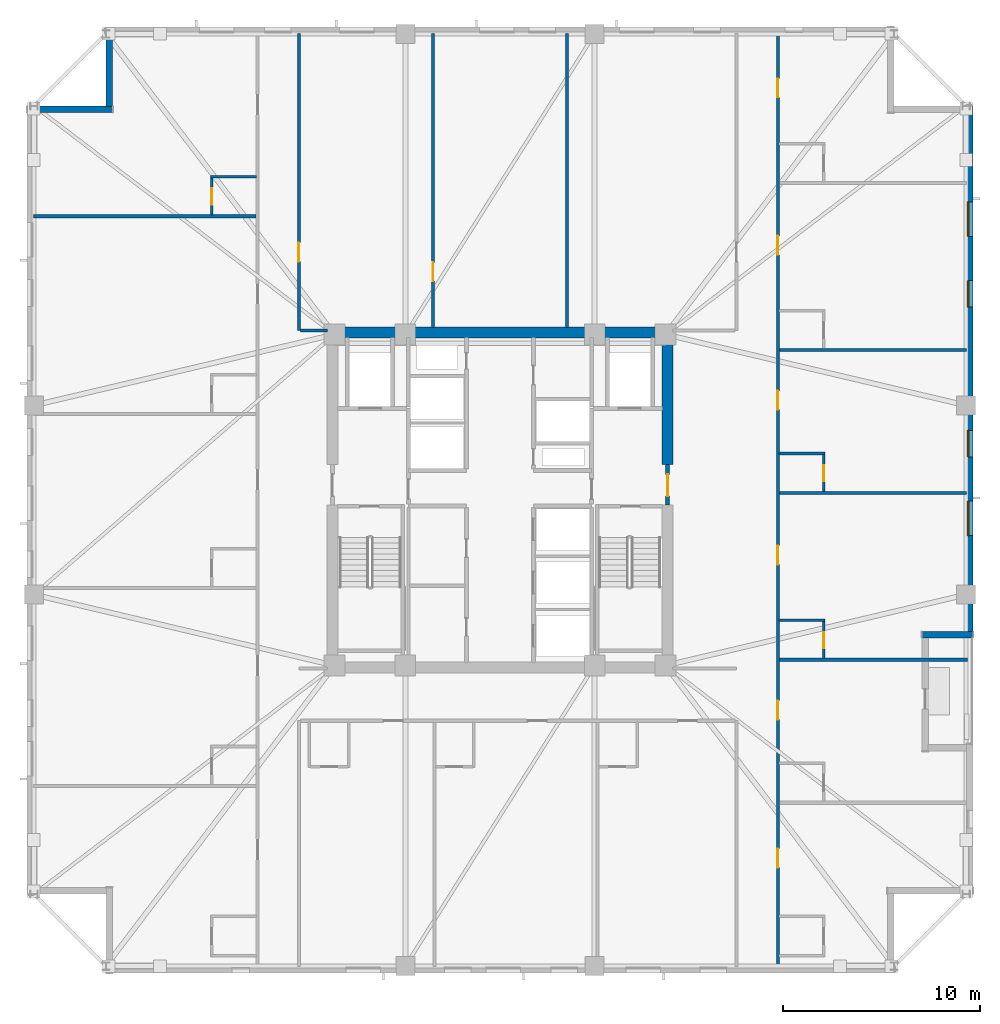
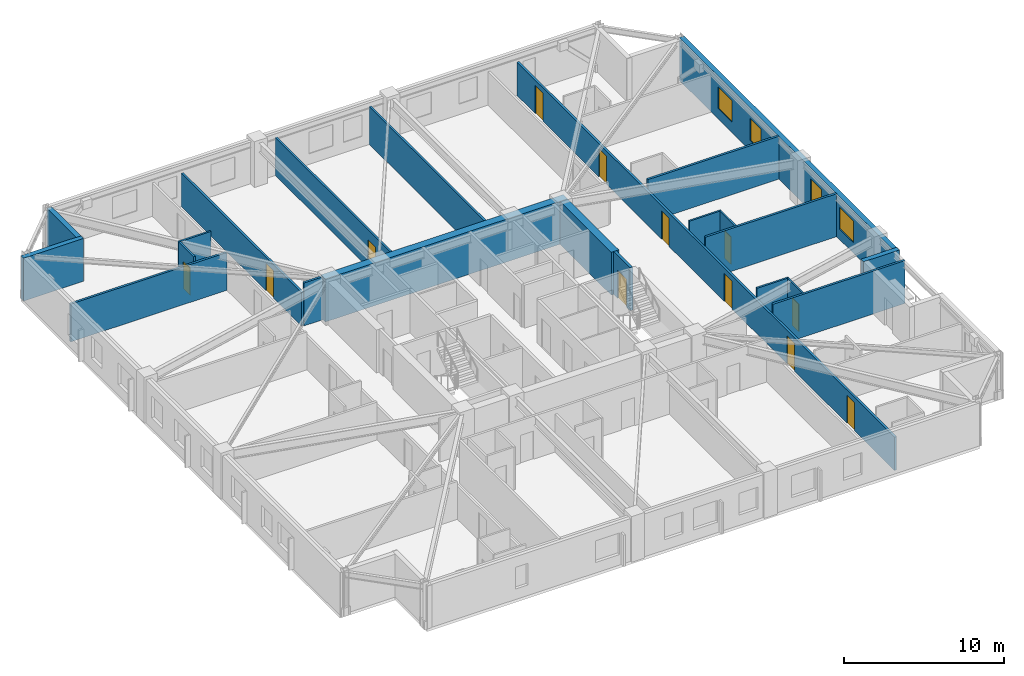
# One storey, part 5 of 11: 22 walls, 12 doors, 4 windows, 16 openings.
"""IFC4 building model written with IfcOpenShell, lengths in metres."""

from ifc_helpers import new_model, si_unit, direction, frame, frame_2d, origin, place, context, subcontext, project, spatial, rectangle, extrude, material, layer, layer_set, type_object, element, fill, save


model = new_model("IFC4")

# Units and contexts
model_context = context("Model", 3, precision=1e-05, world=origin(), true_north=direction((0.0, 1.0)))
body_context = subcontext(model_context, "Body", "Model", "MODEL_VIEW")
ifc_project = project(units=[si_unit("LENGTHUNIT", "METRE"), si_unit("AREAUNIT", "SQUARE_METRE"), si_unit("VOLUMEUNIT", "CUBIC_METRE"), si_unit("PLANEANGLEUNIT", "RADIAN"), si_unit("MASSUNIT", "GRAM", prefix="KILO")], contexts=[model_context])

# Site, building, storey
site_placement = place(None, origin())
site = spatial("IfcSite", under=ifc_project, at=site_placement, CompositionType="ELEMENT")
building_placement = place(site_placement, origin())
building = spatial("IfcBuilding", under=site, at=building_placement, Name="Cairnveth Concourse Tower", CompositionType="ELEMENT")
storey_placement = place(building_placement, frame((0.0, 0.0, 172.5)))
storey = spatial("IfcBuildingStorey", under=building, at=storey_placement, Name="L47", CompositionType="ELEMENT", Elevation=172.5)

# Wall, opening, door
ifc_material_1 = material(Name="Gypsum Plasterboard Partition", Category="gypsum")
ifc_layer_1 = layer(ifc_material_1, 0.159912109375)
ifc_layer_set_1 = layer_set([ifc_layer_1], Name="Gypsum Plasterboard Partition")
wall_type_1 = type_object("IfcWallType", Name="ACOUSTIC PARTY WALL 180", PredefinedType="PARTITIONING", material=ifc_layer_set_1)
wall_1_placement = place(storey_placement, frame((41.800048828125, 47.60009765625, 0.0), z_axis=(0.0, 0.0, 1.0), x_axis=(0.0, 1.0, 0.0)))
wall_1 = element("IfcWall", 1, at=wall_1_placement, inside=storey, type_object=wall_type_1, Name="Interior Wall IW-L47-038", PredefinedType="PARTITIONING", context=body_context, shape_type="SweptSolid", body=[
    extrude(rectangle(XDim=15.074951171875, YDim=0.159912109375, at=frame_2d((7.53759765625, 0.0))), origin(), (0.0, 0.0, 1.0), 2.554931640625),
])
opening_1_placement = place(wall_1_placement, frame((3.5, 0.0, 0.0)))
opening_1 = element("IfcOpeningElement", 2, at=opening_1_placement, cuts=wall_1, Name="Opening ID11", PredefinedType="OPENING", context=body_context, shape_type="SweptSolid", body=[
    extrude(rectangle(XDim=0.9599609375, YDim=2.1201171875, at=frame_2d((0.47998046875, 1.06005859375))), frame((0.0, 0.08984375, 0.0), z_axis=(0.0, -1.0, 0.0), x_axis=(1.0, 0.0, 0.0)), (0.0, 0.0, 1.0), 0.179931640625),
])
ifc_material_2 = material(Name="Solid Core Hardwood Timber Leaf", Category="wood")
door_type_1 = type_object("IfcDoorType", Name="INTERIOR SINGLE DOOR 960X2150", OperationType="NOTDEFINED", PredefinedType="DOOR", material=ifc_material_2)
door_1_placement = place(opening_1_placement, origin())
door_1 = element("IfcDoor", 3, at=door_1_placement, inside=storey, type_object=door_type_1, Name="Interior Door DR-L47-015", OperationType="SINGLE_SWING_LEFT", OverallHeight=2.1201171875, OverallWidth=0.9599609375, PredefinedType="DOOR", context=body_context, shape_type="SweptSolid", body=[
    extrude(rectangle(XDim=0.9599609375, YDim=2.1201171875, at=frame_2d((0.47998046875, 1.06005859375))), frame((0.0, 0.02490234375, 0.0), z_axis=(0.0, -1.0, 0.0), x_axis=(1.0, 0.0, 0.0)), (0.0, 0.0, 1.0), 0.050048828125),
])
fill(opening_1, door_1)

# Wall
wall_2_placement = place(storey_placement, frame((41.864990234375, 47.60009765625, 0.0), z_axis=(0.0, 0.0, 1.0), x_axis=(1.0, 0.0, 0.0)))
element("IfcWall", 4, at=wall_2_placement, inside=storey, type_object=wall_type_1, Name="Interior Wall IW-L47-040", PredefinedType="PARTITIONING", context=body_context, shape_type="SweptSolid", body=[
    extrude(rectangle(XDim=1.3701171875, YDim=0.159912109375, at=frame_2d((0.68505859375, 0.0))), origin(), (0.0, 0.0, 1.0), 3.280029296875),
])

# Wall, openings, doors
wall_3_placement = place(storey_placement, frame((66.10009765625, 15.324951171875, 0.0), z_axis=(0.0, 0.0, 1.0), x_axis=(0.0, 1.0, 0.0)))
wall_3 = element("IfcWall", 5, at=wall_3_placement, inside=storey, type_object=wall_type_1, Name="Interior Wall IW-L47-041", PredefinedType="PARTITIONING", context=body_context, shape_type="SweptSolid", body=[
    extrude(rectangle(XDim=47.35009765625, YDim=0.159912109375, at=frame_2d((23.675048828125, 0.0))), origin(), (0.0, 0.0, 1.0), 2.554931640625),
])
opening_2_placement = place(wall_3_placement, frame((5.024658203125, 0.0, 0.0)))
opening_2 = element("IfcOpeningElement", 6, at=opening_2_placement, cuts=wall_3, Name="Opening ID09", PredefinedType="OPENING", context=body_context, shape_type="SweptSolid", body=[
    extrude(rectangle(XDim=0.9599609375, YDim=2.14990234375, at=frame_2d((0.47998046875, 1.074951171875))), frame((0.0, 0.08984375, 0.0), z_axis=(0.0, -1.0, 0.0), x_axis=(1.0, 0.0, 0.0)), (0.0, 0.0, 1.0), 0.179931640625),
])
opening_3_placement = place(wall_3_placement, frame((12.535400390625, 0.0, 0.0)))
opening_3 = element("IfcOpeningElement", 7, at=opening_3_placement, cuts=wall_3, Name="Opening ID09", PredefinedType="OPENING", context=body_context, shape_type="SweptSolid", body=[
    extrude(rectangle(XDim=0.9599609375, YDim=2.14990234375, at=frame_2d((0.47998046875, 1.074951171875))), frame((0.0, 0.08984375, 0.0), z_axis=(0.0, -1.0, 0.0), x_axis=(1.0, 0.0, 0.0)), (0.0, 0.0, 1.0), 0.179931640625),
])
opening_4_placement = place(wall_3_placement, frame((20.395263671875, 0.0, 0.0)))
opening_4 = element("IfcOpeningElement", 8, at=opening_4_placement, cuts=wall_3, Name="Opening ID09", PredefinedType="OPENING", context=body_context, shape_type="SweptSolid", body=[
    extrude(rectangle(XDim=0.9599609375, YDim=2.14990234375, at=frame_2d((0.47998046875, 1.074951171875))), frame((0.0, 0.08984375, 0.0), z_axis=(0.0, -1.0, 0.0), x_axis=(1.0, 0.0, 0.0)), (0.0, 0.0, 1.0), 0.179931640625),
])
opening_5_placement = place(wall_3_placement, frame((28.255126953125, 0.0, 0.0)))
opening_5 = element("IfcOpeningElement", 9, at=opening_5_placement, cuts=wall_3, Name="Opening ID09", PredefinedType="OPENING", context=body_context, shape_type="SweptSolid", body=[
    extrude(rectangle(XDim=0.9599609375, YDim=2.14990234375, at=frame_2d((0.47998046875, 1.074951171875))), frame((0.0, 0.08984375, 0.0), z_axis=(0.0, -1.0, 0.0), x_axis=(1.0, 0.0, 0.0)), (0.0, 0.0, 1.0), 0.179931640625),
])
opening_6_placement = place(wall_3_placement, frame((36.115234375, 0.0, 0.0)))
opening_6 = element("IfcOpeningElement", 10, at=opening_6_placement, cuts=wall_3, Name="Opening ID09", PredefinedType="OPENING", context=body_context, shape_type="SweptSolid", body=[
    extrude(rectangle(XDim=0.9599609375, YDim=2.14990234375, at=frame_2d((0.47998046875, 1.074951171875))), frame((0.0, 0.08984375, 0.0), z_axis=(0.0, -1.0, 0.0), x_axis=(1.0, 0.0, 0.0)), (0.0, 0.0, 1.0), 0.179931640625),
])
opening_7_placement = place(wall_3_placement, frame((44.099609375, 0.0, 0.0)))
opening_7 = element("IfcOpeningElement", 11, at=opening_7_placement, cuts=wall_3, Name="Opening ID09", PredefinedType="OPENING", context=body_context, shape_type="SweptSolid", body=[
    extrude(rectangle(XDim=0.9599609375, YDim=2.14990234375, at=frame_2d((0.47998046875, 1.074951171875))), frame((0.0, 0.08984375, 0.0), z_axis=(0.0, -1.0, 0.0), x_axis=(1.0, 0.0, 0.0)), (0.0, 0.0, 1.0), 0.179931640625),
])
door_type_2 = type_object("IfcDoorType", Name="HOTEL ENTRANCE DOOR 960X2150", OperationType="NOTDEFINED", PredefinedType="DOOR", material=ifc_material_2)
door_2_placement = place(opening_2_placement, origin())
door_2 = element("IfcDoor", 12, at=door_2_placement, inside=storey, type_object=door_type_2, Name="Hotel Room Door L47-E1", OperationType="SINGLE_SWING_LEFT", OverallHeight=2.14990234375, OverallWidth=0.9599609375, PredefinedType="DOOR", context=body_context, shape_type="SweptSolid", body=[
    extrude(rectangle(XDim=0.9599609375, YDim=2.14990234375, at=frame_2d((0.47998046875, 1.074951171875))), frame((0.0, 0.02490234375, 0.0), z_axis=(0.0, -1.0, 0.0), x_axis=(1.0, 0.0, 0.0)), (0.0, 0.0, 1.0), 0.050048828125),
])
fill(opening_2, door_2)
door_3_placement = place(opening_3_placement, origin())
door_3 = element("IfcDoor", 13, at=door_3_placement, inside=storey, type_object=door_type_2, Name="Hotel Room Door L47-E2", OperationType="SINGLE_SWING_LEFT", OverallHeight=2.14990234375, OverallWidth=0.9599609375, PredefinedType="DOOR", context=body_context, shape_type="SweptSolid", body=[
    extrude(rectangle(XDim=0.9599609375, YDim=2.14990234375, at=frame_2d((0.47998046875, 1.074951171875))), frame((0.0, 0.02490234375, 0.0), z_axis=(0.0, -1.0, 0.0), x_axis=(1.0, 0.0, 0.0)), (0.0, 0.0, 1.0), 0.050048828125),
])
fill(opening_3, door_3)
door_4_placement = place(opening_4_placement, origin())
door_4 = element("IfcDoor", 14, at=door_4_placement, inside=storey, type_object=door_type_2, Name="Hotel Room Door L47-E3", OperationType="SINGLE_SWING_LEFT", OverallHeight=2.14990234375, OverallWidth=0.9599609375, PredefinedType="DOOR", context=body_context, shape_type="SweptSolid", body=[
    extrude(rectangle(XDim=0.9599609375, YDim=2.14990234375, at=frame_2d((0.47998046875, 1.074951171875))), frame((0.0, 0.02490234375, 0.0), z_axis=(0.0, -1.0, 0.0), x_axis=(1.0, 0.0, 0.0)), (0.0, 0.0, 1.0), 0.050048828125),
])
fill(opening_4, door_4)
door_5_placement = place(opening_5_placement, origin())
door_5 = element("IfcDoor", 15, at=door_5_placement, inside=storey, type_object=door_type_2, Name="Hotel Room Door L47-E4", OperationType="SINGLE_SWING_LEFT", OverallHeight=2.14990234375, OverallWidth=0.9599609375, PredefinedType="DOOR", context=body_context, shape_type="SweptSolid", body=[
    extrude(rectangle(XDim=0.9599609375, YDim=2.14990234375, at=frame_2d((0.47998046875, 1.074951171875))), frame((0.0, 0.02490234375, 0.0), z_axis=(0.0, -1.0, 0.0), x_axis=(1.0, 0.0, 0.0)), (0.0, 0.0, 1.0), 0.050048828125),
])
fill(opening_5, door_5)
door_6_placement = place(opening_6_placement, origin())
door_6 = element("IfcDoor", 16, at=door_6_placement, inside=storey, type_object=door_type_2, Name="Hotel Room Door L47-E5", OperationType="SINGLE_SWING_LEFT", OverallHeight=2.14990234375, OverallWidth=0.9599609375, PredefinedType="DOOR", context=body_context, shape_type="SweptSolid", body=[
    extrude(rectangle(XDim=0.9599609375, YDim=2.14990234375, at=frame_2d((0.47998046875, 1.074951171875))), frame((0.0, 0.02490234375, 0.0), z_axis=(0.0, -1.0, 0.0), x_axis=(1.0, 0.0, 0.0)), (0.0, 0.0, 1.0), 0.050048828125),
])
fill(opening_6, door_6)
door_7_placement = place(opening_7_placement, origin())
door_7 = element("IfcDoor", 17, at=door_7_placement, inside=storey, type_object=door_type_2, Name="Hotel Room Door L47-E6", OperationType="SINGLE_SWING_LEFT", OverallHeight=2.14990234375, OverallWidth=0.9599609375, PredefinedType="DOOR", context=body_context, shape_type="SweptSolid", body=[
    extrude(rectangle(XDim=0.9599609375, YDim=2.14990234375, at=frame_2d((0.47998046875, 1.074951171875))), frame((0.0, 0.02490234375, 0.0), z_axis=(0.0, -1.0, 0.0), x_axis=(1.0, 0.0, 0.0)), (0.0, 0.0, 1.0), 0.050048828125),
])
fill(opening_7, door_7)

# Walls
wall_4_placement = place(storey_placement, frame((28.324951171875, 53.396484375, 0.0), z_axis=(0.0, 0.0, 1.0), x_axis=(1.0, 0.0, 0.0)))
element("IfcWall", 18, at=wall_4_placement, inside=storey, type_object=wall_type_1, Name="Interior Wall IW-L47-070", PredefinedType="PARTITIONING", context=body_context, shape_type="SweptSolid", body=[
    extrude(rectangle(XDim=11.295166015625, YDim=0.159912109375, at=frame_2d((5.6474609375, 0.0))), origin(), (0.0, 0.0, 1.0), 2.89599609375),
])
wall_5_placement = place(storey_placement, frame((66.179931640625, 30.891357421875, 0.0), z_axis=(0.0, 0.0, 1.0), x_axis=(1.0, 0.0, 0.0)))
element("IfcWall", 19, at=wall_5_placement, inside=storey, type_object=wall_type_1, Name="Interior Wall IW-L47-079", PredefinedType="PARTITIONING", context=body_context, shape_type="SweptSolid", body=[
    extrude(rectangle(XDim=9.550048828125, YDim=0.159912109375, at=frame_2d((4.77490234375, 0.0))), origin(), (0.0, 0.0, 1.0), 3.280029296875),
])
for number, where, z_axis, x_axis, name in (
    (20, (66.179931640625, 39.359130859375, 0.0), (0.0, 0.0, 1.0), (1.0, 0.0, 0.0), "Interior Wall IW-L47-082"),
    (21, (66.179931640625, 46.611328125, 0.0), (0.0, 0.0, 1.0), (1.0, 0.0, 0.0), "Interior Wall IW-L47-085"),
):
    element("IfcWall", number, at=place(storey_placement, frame(where, z_axis=z_axis, x_axis=x_axis)), inside=storey, type_object=wall_type_1, Name=name, PredefinedType="PARTITIONING", context=body_context, shape_type="SweptSolid", body=[
        extrude(rectangle(XDim=9.4951171875, YDim=0.159912109375, at=frame_2d((4.74755859375, 0.0))), origin(), (0.0, 0.0, 1.0), 3.280029296875),
    ])
ifc_material_3 = material(Name="Concrete N80 (80 MPa)", Category="concrete")
ifc_layer_2 = layer(ifc_material_3, 0.550048828125)
ifc_layer_set_2 = layer_set([ifc_layer_2], Name="Concrete N80 (80 MPa)")
wall_type_2 = type_object("IfcWallType", Name="CORE SHEAR WALL 550", PredefinedType="SHEAR", material=ifc_layer_set_2)
wall_6_placement = place(storey_placement, frame((43.22509765625, 47.5, 0.0), z_axis=(0.0, 0.0, 1.0), x_axis=(1.0, 0.0, 0.0)))
element("IfcWall", 22, at=wall_6_placement, inside=storey, type_object=wall_type_2, Name="Core North Shear Wall L47", PredefinedType="SHEAR", context=body_context, shape_type="SweptSolid", body=[
    extrude(rectangle(XDim=17.5498046875, YDim=0.550048828125, at=frame_2d((8.77490234375, 0.0))), origin(), (0.0, 0.0, 1.0), 3.280029296875),
])
wall_7_placement = place(storey_placement, frame((60.5, 40.800048828125, 0.0), z_axis=(0.0, 0.0, 1.0), x_axis=(0.0, 1.0, 0.0)))
element("IfcWall", 23, at=wall_7_placement, inside=storey, type_object=wall_type_2, Name="Core East Shear Wall N L47", PredefinedType="SHEAR", context=body_context, shape_type="SweptSolid", body=[
    extrude(rectangle(XDim=6.43505859375, YDim=0.550048828125, at=frame_2d((3.217529296875, 0.0))), origin(), (0.0, 0.0, 1.0), 3.280029296875),
])

# Wall, opening, door
ifc_material_4 = material(Name="Concrete N50 (50 MPa)", Category="concrete")
ifc_layer_3 = layer(ifc_material_4, 0.199951171875)
ifc_layer_set_3 = layer_set([ifc_layer_3], Name="Concrete N50 (50 MPa)")
wall_type_3 = type_object("IfcWallType", Name="FIRE SHAFT WALL 200", PredefinedType="SOLIDWALL", material=ifc_layer_set_3)
wall_8_placement = place(storey_placement, frame((60.5, 38.75, 0.0), z_axis=(0.0, 0.0, 1.0), x_axis=(0.0, 1.0, 0.0)))
wall_8 = element("IfcWall", 24, at=wall_8_placement, inside=storey, type_object=wall_type_3, Name="Interior Wall IW-L47-020", PredefinedType="SOLIDWALL", context=body_context, shape_type="SweptSolid", body=[
    extrude(rectangle(XDim=2.050048828125, YDim=0.199951171875, at=frame_2d((1.02490234375, 0.0))), origin(), (0.0, 0.0, 1.0), 3.280029296875),
])
opening_8_placement = place(wall_8_placement, frame((0.449951171875, 0.0, 0.0)))
opening_8 = element("IfcOpeningElement", 25, at=opening_8_placement, cuts=wall_8, Name="Opening ID06", PredefinedType="OPENING", context=body_context, shape_type="SweptSolid", body=[
    extrude(rectangle(XDim=1.10009765625, YDim=2.14990234375, at=frame_2d((0.550048828125, 1.074951171875))), frame((0.0, 0.10986328125, 0.0), z_axis=(0.0, -1.0, 0.0), x_axis=(1.0, 0.0, 0.0)), (0.0, 0.0, 1.0), 0.219970703125),
])
ifc_material_5 = material(Name="Steel Grade 350", Category="steel")
door_type_3 = type_object("IfcDoorType", Name="FIRE CORRIDOR DOOR 1100X2150", OperationType="NOTDEFINED", PredefinedType="DOOR", material=ifc_material_5)
door_8_placement = place(opening_8_placement, origin())
door_8 = element("IfcDoor", 26, at=door_8_placement, inside=storey, type_object=door_type_3, Name="East Wing to FF Lobby Door L47", OperationType="SINGLE_SWING_RIGHT", OverallHeight=2.14990234375, OverallWidth=1.10009765625, PredefinedType="DOOR", context=body_context, shape_type="SweptSolid", body=[
    extrude(rectangle(XDim=1.10009765625, YDim=2.14990234375, at=frame_2d((0.550048828125, 1.074951171875))), frame((0.0, 0.02490234375, 0.0), z_axis=(0.0, -1.0, 0.0), x_axis=(1.0, 0.0, 0.0)), (0.0, 0.0, 1.0), 0.050048828125),
])
fill(opening_8, door_8)

ifc_layer_4 = layer(ifc_material_1, 0.139892578125)
ifc_layer_set_4 = layer_set([ifc_layer_4], Name="Gypsum Plasterboard Partition")
wall_type_4 = type_object("IfcWallType", Name="GYPSUM STUD PARTITION 140", PredefinedType="PARTITIONING", material=ifc_layer_set_4)
wall_9_placement = place(storey_placement, frame((48.60009765625, 47.760009765625, 0.0), z_axis=(0.0, 0.0, 1.0), x_axis=(0.0, 1.0, 0.0)))
wall_9 = element("IfcWall", 27, at=wall_9_placement, inside=storey, type_object=wall_type_4, Name="Interior Wall IW-L47-047", PredefinedType="PARTITIONING", context=body_context, shape_type="SweptSolid", body=[
    extrude(rectangle(XDim=14.9150390625, YDim=0.139892578125, at=frame_2d((7.45751953125, 0.0))), origin(), (0.0, 0.0, 1.0), 2.89599609375),
])
opening_9_placement = place(wall_9_placement, frame((2.340087890625, 0.0, 0.0)))
opening_9 = element("IfcOpeningElement", 28, at=opening_9_placement, cuts=wall_9, Name="Opening ID11", PredefinedType="OPENING", context=body_context, shape_type="SweptSolid", body=[
    extrude(rectangle(XDim=0.9599609375, YDim=2.1201171875, at=frame_2d((0.47998046875, 1.06005859375))), frame((0.0, 0.079833984375, 0.0), z_axis=(0.0, -1.0, 0.0), x_axis=(1.0, 0.0, 0.0)), (0.0, 0.0, 1.0), 0.159912109375),
])
door_9_placement = place(opening_9_placement, origin())
door_9 = element("IfcDoor", 29, at=door_9_placement, inside=storey, type_object=door_type_1, Name="Interior Door DR-L47-017", OperationType="SINGLE_SWING_LEFT", OverallHeight=2.1201171875, OverallWidth=0.9599609375, PredefinedType="DOOR", context=body_context, shape_type="SweptSolid", body=[
    extrude(rectangle(XDim=0.9599609375, YDim=2.1201171875, at=frame_2d((0.47998046875, 1.06005859375))), frame((0.0, 0.02490234375, 0.0), z_axis=(0.0, -1.0, 0.0), x_axis=(1.0, 0.0, 0.0)), (0.0, 0.0, 1.0), 0.050048828125),
])
fill(opening_9, door_9)

# Walls
wall_10_placement = place(storey_placement, frame((55.39990234375, 47.760009765625, 0.0), z_axis=(0.0, 0.0, 1.0), x_axis=(0.0, 1.0, 0.0)))
element("IfcWall", 30, at=wall_10_placement, inside=storey, type_object=wall_type_4, Name="Interior Wall IW-L47-048", PredefinedType="PARTITIONING", context=body_context, shape_type="SweptSolid", body=[
    extrude(rectangle(XDim=14.9150390625, YDim=0.139892578125, at=frame_2d((7.45751953125, 0.0))), origin(), (0.0, 0.0, 1.0), 2.89599609375),
])
ifc_layer_5 = layer(ifc_material_1, 0.1298828125)
ifc_layer_set_5 = layer_set([ifc_layer_5], Name="Gypsum Plasterboard Partition")
wall_type_5 = type_object("IfcWallType", Name="WET AREA PARTITION 140", PredefinedType="PLUMBINGWALL", material=ifc_layer_set_5)
wall_11_placement = place(storey_placement, frame((37.320068359375, 55.396484375, 0.0), z_axis=(0.0, 0.0, 1.0), x_axis=(1.0, 0.0, 0.0)))
element("IfcWall", 31, at=wall_11_placement, inside=storey, type_object=wall_type_5, Name="Interior Wall IW-L47-071", PredefinedType="PLUMBINGWALL", context=body_context, shape_type="SweptSolid", body=[
    extrude(rectangle(XDim=2.31494140625, YDim=0.1298828125, at=frame_2d((1.157470703125, 0.0))), origin(), (0.0, 0.0, 1.0), 3.280029296875),
])

# Wall, opening, door
wall_12_placement = place(storey_placement, frame((37.3701171875, 53.461669921875, 0.0), z_axis=(0.0, 0.0, 1.0), x_axis=(0.0, 1.0, 0.0)))
wall_12 = element("IfcWall", 32, at=wall_12_placement, inside=storey, type_object=wall_type_5, Name="Interior Wall IW-L47-072", PredefinedType="PLUMBINGWALL", context=body_context, shape_type="SweptSolid", body=[
    extrude(rectangle(XDim=1.885009765625, YDim=0.1298828125, at=frame_2d((0.9423828125, 0.0))), origin(), (0.0, 0.0, 1.0), 3.280029296875),
])
opening_10_placement = place(wall_12_placement, frame((0.52490234375, 0.0, 0.0)))
opening_10 = element("IfcOpeningElement", 33, at=opening_10_placement, cuts=wall_12, Name="Opening ID22", PredefinedType="OPENING", context=body_context, shape_type="SweptSolid", body=[
    extrude(rectangle(XDim=0.820068359375, YDim=2.10009765625, at=frame_2d((0.41015625, 1.050048828125))), frame((0.0, 0.074951171875, 0.0), z_axis=(0.0, -1.0, 0.0), x_axis=(1.0, 0.0, 0.0)), (0.0, 0.0, 1.0), 0.14990234375),
])
door_type_4 = type_object("IfcDoorType", Name="INTERIOR WC DOOR 820X2100", OperationType="NOTDEFINED", PredefinedType="DOOR", material=ifc_material_2)
door_10_placement = place(opening_10_placement, origin())
door_10 = element("IfcDoor", 34, at=door_10_placement, inside=storey, type_object=door_type_4, Name="En-Suite Door L47-W5", OperationType="SINGLE_SWING_RIGHT", OverallHeight=2.10009765625, OverallWidth=0.820068359375, PredefinedType="DOOR", context=body_context, shape_type="SweptSolid", body=[
    extrude(rectangle(XDim=0.820068359375, YDim=2.10009765625, at=frame_2d((0.41015625, 1.050048828125))), frame((0.0, 0.02490234375, 0.0), z_axis=(0.0, -1.0, 0.0), x_axis=(1.0, 0.0, 0.0)), (0.0, 0.0, 1.0), 0.050048828125),
])
fill(opening_10, door_10)

# Wall
wall_13_placement = place(storey_placement, frame((66.1650390625, 32.891357421875, 0.0), z_axis=(0.0, 0.0, 1.0), x_axis=(1.0, 0.0, 0.0)))
element("IfcWall", 35, at=wall_13_placement, inside=storey, type_object=wall_type_5, Name="Interior Wall IW-L47-080", PredefinedType="PLUMBINGWALL", context=body_context, shape_type="SweptSolid", body=[
    extrude(rectangle(XDim=2.31494140625, YDim=0.1298828125, at=frame_2d((1.157470703125, 0.0))), origin(), (0.0, 0.0, 1.0), 3.280029296875),
])

# Wall, opening, door
wall_14_placement = place(storey_placement, frame((68.429931640625, 30.956298828125, 0.0), z_axis=(0.0, 0.0, 1.0), x_axis=(0.0, 1.0, 0.0)))
wall_14 = element("IfcWall", 36, at=wall_14_placement, inside=storey, type_object=wall_type_5, Name="Interior Wall IW-L47-081", PredefinedType="PLUMBINGWALL", context=body_context, shape_type="SweptSolid", body=[
    extrude(rectangle(XDim=1.885009765625, YDim=0.1298828125, at=frame_2d((0.9423828125, 0.0))), origin(), (0.0, 0.0, 1.0), 3.280029296875),
])
opening_11_placement = place(wall_14_placement, frame((0.52490234375, 0.0, 0.0)))
opening_11 = element("IfcOpeningElement", 37, at=opening_11_placement, cuts=wall_14, Name="Opening ID22", PredefinedType="OPENING", context=body_context, shape_type="SweptSolid", body=[
    extrude(rectangle(XDim=0.820068359375, YDim=2.10009765625, at=frame_2d((0.41015625, 1.050048828125))), frame((0.0, 0.074951171875, 0.0), z_axis=(0.0, -1.0, 0.0), x_axis=(1.0, 0.0, 0.0)), (0.0, 0.0, 1.0), 0.14990234375),
])
door_11_placement = place(opening_11_placement, origin())
door_11 = element("IfcDoor", 38, at=door_11_placement, inside=storey, type_object=door_type_4, Name="En-Suite Door L47-E3", OperationType="SINGLE_SWING_RIGHT", OverallHeight=2.10009765625, OverallWidth=0.820068359375, PredefinedType="DOOR", context=body_context, shape_type="SweptSolid", body=[
    extrude(rectangle(XDim=0.820068359375, YDim=2.10009765625, at=frame_2d((0.41015625, 1.050048828125))), frame((0.0, 0.02490234375, 0.0), z_axis=(0.0, -1.0, 0.0), x_axis=(1.0, 0.0, 0.0)), (0.0, 0.0, 1.0), 0.050048828125),
])
fill(opening_11, door_11)

# Wall
wall_15_placement = place(storey_placement, frame((66.1650390625, 41.359130859375, 0.0), z_axis=(0.0, 0.0, 1.0), x_axis=(1.0, 0.0, 0.0)))
element("IfcWall", 39, at=wall_15_placement, inside=storey, type_object=wall_type_5, Name="Interior Wall IW-L47-083", PredefinedType="PLUMBINGWALL", context=body_context, shape_type="SweptSolid", body=[
    extrude(rectangle(XDim=2.31494140625, YDim=0.1298828125, at=frame_2d((1.157470703125, 0.0))), origin(), (0.0, 0.0, 1.0), 3.280029296875),
])

# Wall, opening, door
wall_16_placement = place(storey_placement, frame((68.429931640625, 39.424072265625, 0.0), z_axis=(0.0, 0.0, 1.0), x_axis=(0.0, 1.0, 0.0)))
wall_16 = element("IfcWall", 40, at=wall_16_placement, inside=storey, type_object=wall_type_5, Name="Interior Wall IW-L47-084", PredefinedType="PLUMBINGWALL", context=body_context, shape_type="SweptSolid", body=[
    extrude(rectangle(XDim=1.885009765625, YDim=0.1298828125, at=frame_2d((0.9423828125, 0.0))), origin(), (0.0, 0.0, 1.0), 3.280029296875),
])
opening_12_placement = place(wall_16_placement, frame((0.52490234375, 0.0, 0.0)))
opening_12 = element("IfcOpeningElement", 41, at=opening_12_placement, cuts=wall_16, Name="Opening ID22", PredefinedType="OPENING", context=body_context, shape_type="SweptSolid", body=[
    extrude(rectangle(XDim=0.820068359375, YDim=2.10009765625, at=frame_2d((0.41015625, 1.050048828125))), frame((0.0, 0.074951171875, 0.0), z_axis=(0.0, -1.0, 0.0), x_axis=(1.0, 0.0, 0.0)), (0.0, 0.0, 1.0), 0.14990234375),
])
door_12_placement = place(opening_12_placement, origin())
door_12 = element("IfcDoor", 42, at=door_12_placement, inside=storey, type_object=door_type_4, Name="En-Suite Door L47-E4", OperationType="SINGLE_SWING_RIGHT", OverallHeight=2.10009765625, OverallWidth=0.820068359375, PredefinedType="DOOR", context=body_context, shape_type="SweptSolid", body=[
    extrude(rectangle(XDim=0.820068359375, YDim=2.10009765625, at=frame_2d((0.41015625, 1.050048828125))), frame((0.0, 0.02490234375, 0.0), z_axis=(0.0, -1.0, 0.0), x_axis=(1.0, 0.0, 0.0)), (0.0, 0.0, 1.0), 0.050048828125),
])
fill(opening_12, door_12)

# Walls
ifc_material_6 = material(Name="Hawthorn Red-Ochre Fired Clay Brick Masonry", Category="masonry")
ifc_layer_6 = layer(ifc_material_6, 0.340087890625)
ifc_layer_set_6 = layer_set([ifc_layer_6], Name="Hawthorn Red-Ochre Fired Clay Brick Masonry")
wall_type_6 = type_object("IfcWallType", Name="ZONE 2 BRICK PIER SPANDREL WALL 340", PredefinedType="SOLIDWALL", material=ifc_layer_set_6)
wall_17_placement = place(storey_placement, frame((28.0, 58.830078125, 0.0), z_axis=(0.0, 0.0, 1.0), x_axis=(1.0, 0.0, 0.0)))
element("IfcWall", 43, at=wall_17_placement, inside=storey, type_object=wall_type_6, Name="Exterior Wall EW-L47-S07", PredefinedType="SOLIDWALL", context=body_context, shape_type="SweptSolid", body=[
    extrude(rectangle(XDim=4.340087890625, YDim=0.340087890625, at=frame_2d((2.169921875, 0.0))), origin(), (0.0, 0.0, 1.0), 3.280029296875),
])
wall_18_placement = place(storey_placement, frame((32.169921875, 58.97802734375, 0.0), z_axis=(0.0, 0.0, 1.0), x_axis=(0.0, 1.0, 0.0)))
element("IfcWall", 44, at=wall_18_placement, inside=storey, type_object=wall_type_6, Name="Exterior Wall EW-L47-S08", PredefinedType="SOLIDWALL", context=body_context, shape_type="SweptSolid", body=[
    extrude(rectangle(XDim=3.703857421875, YDim=0.340087890625, at=frame_2d((1.85205078125, 0.0))), origin(), (0.0, 0.0, 1.0), 3.280029296875),
])

# Wall, openings, windows
wall_19_placement = place(storey_placement, frame((75.830078125, 59.0, 0.0), z_axis=(0.0, 0.0, 1.0), x_axis=(0.0, -1.0, 0.0)))
wall_19 = element("IfcWall", 45, at=wall_19_placement, inside=storey, type_object=wall_type_6, Name="Exterior Wall EW-L47-S12", PredefinedType="SOLIDWALL", context=body_context, shape_type="SweptSolid", body=[
    extrude(rectangle(XDim=26.681884765625, YDim=0.340087890625, at=frame_2d((13.3408203125, 0.0))), origin(), (0.0, 0.0, 1.0), 3.280029296875),
])
opening_13_placement = place(wall_19_placement, frame((4.873291015625, 0.0, 0.800048828125)))
opening_13 = element("IfcOpeningElement", 46, at=opening_13_placement, cuts=wall_19, Name="Opening W06", PredefinedType="OPENING", context=body_context, shape_type="SweptSolid", body=[
    extrude(rectangle(XDim=1.75, YDim=1.659912109375, at=frame_2d((0.875, 0.830078125))), frame((0.0, 0.179931640625, 0.0), z_axis=(0.0, -1.0, 0.0), x_axis=(1.0, 0.0, 0.0)), (0.0, 0.0, 1.0), 0.360107421875),
])
opening_14_placement = place(wall_19_placement, frame((8.86962890625, 0.0, 0.800048828125)))
opening_14 = element("IfcOpeningElement", 47, at=opening_14_placement, cuts=wall_19, Name="Opening W02", PredefinedType="OPENING", context=body_context, shape_type="SweptSolid", body=[
    extrude(rectangle(XDim=1.35009765625, YDim=1.659912109375, at=frame_2d((0.675048828125, 0.830078125))), frame((0.0, 0.179931640625, 0.0), z_axis=(0.0, -1.0, 0.0), x_axis=(1.0, 0.0, 0.0)), (0.0, 0.0, 1.0), 0.360107421875),
])
opening_15_placement = place(wall_19_placement, frame((16.46240234375, 0.0, 0.800048828125)))
opening_15 = element("IfcOpeningElement", 48, at=opening_15_placement, cuts=wall_19, Name="Opening W02", PredefinedType="OPENING", context=body_context, shape_type="SweptSolid", body=[
    extrude(rectangle(XDim=1.35009765625, YDim=1.659912109375, at=frame_2d((0.675048828125, 0.830078125))), frame((0.0, 0.179931640625, 0.0), z_axis=(0.0, -1.0, 0.0), x_axis=(1.0, 0.0, 0.0)), (0.0, 0.0, 1.0), 0.360107421875),
])
opening_16_placement = place(wall_19_placement, frame((20.058837890625, 0.0, 0.800048828125)))
opening_16 = element("IfcOpeningElement", 49, at=opening_16_placement, cuts=wall_19, Name="Opening W06", PredefinedType="OPENING", context=body_context, shape_type="SweptSolid", body=[
    extrude(rectangle(XDim=1.75, YDim=1.659912109375, at=frame_2d((0.875, 0.830078125))), frame((0.0, 0.179931640625, 0.0), z_axis=(0.0, -1.0, 0.0), x_axis=(1.0, 0.0, 0.0)), (0.0, 0.0, 1.0), 0.360107421875),
])
ifc_material_7 = material(Name="Double Glazed Low-E Clear Glass", Category="glass")
window_type_1 = type_object("IfcWindowType", Name="DEEP-SET GOTHIC LANCET WINDOW 1350X1800", PartitioningType="DOUBLE_PANEL_VERTICAL", PredefinedType="WINDOW", material=ifc_material_7)
window_1_placement = place(opening_14_placement, origin())
window_1 = element("IfcWindow", 50, at=window_1_placement, inside=storey, type_object=window_type_1, Name="Gothic Lancet Window L47-12-2", OverallHeight=1.659912109375, OverallWidth=1.35009765625, PartitioningType="SINGLE_PANEL", PredefinedType="WINDOW", context=body_context, shape_type="SweptSolid", body=[
    extrude(rectangle(XDim=1.35009765625, YDim=1.659912109375, at=frame_2d((0.675048828125, 0.830078125))), frame((0.0, -0.050048828125, 0.0), z_axis=(0.0, -1.0, 0.0), x_axis=(1.0, 0.0, 0.0)), (0.0, 0.0, 1.0), 0.06005859375),
])
fill(opening_14, window_1)
window_2_placement = place(opening_15_placement, origin())
window_2 = element("IfcWindow", 51, at=window_2_placement, inside=storey, type_object=window_type_1, Name="Gothic Lancet Window L47-12-4", OverallHeight=1.659912109375, OverallWidth=1.35009765625, PartitioningType="SINGLE_PANEL", PredefinedType="WINDOW", context=body_context, shape_type="SweptSolid", body=[
    extrude(rectangle(XDim=1.35009765625, YDim=1.659912109375, at=frame_2d((0.675048828125, 0.830078125))), frame((0.0, -0.050048828125, 0.0), z_axis=(0.0, -1.0, 0.0), x_axis=(1.0, 0.0, 0.0)), (0.0, 0.0, 1.0), 0.06005859375),
])
fill(opening_15, window_2)
window_type_2 = type_object("IfcWindowType", Name="DEEP-SET HOTEL SUITE WINDOW 1750X1800", PartitioningType="DOUBLE_PANEL_VERTICAL", PredefinedType="WINDOW", material=ifc_material_7)
window_3_placement = place(opening_13_placement, origin())
window_3 = element("IfcWindow", 52, at=window_3_placement, inside=storey, type_object=window_type_2, Name="Gothic Lancet Window L47-12-1", OverallHeight=1.659912109375, OverallWidth=1.75, PartitioningType="SINGLE_PANEL", PredefinedType="WINDOW", context=body_context, shape_type="SweptSolid", body=[
    extrude(rectangle(XDim=1.75, YDim=1.659912109375, at=frame_2d((0.875, 0.830078125))), frame((0.0, -0.050048828125, 0.0), z_axis=(0.0, -1.0, 0.0), x_axis=(1.0, 0.0, 0.0)), (0.0, 0.0, 1.0), 0.06005859375),
])
fill(opening_13, window_3)
window_4_placement = place(opening_16_placement, origin())
window_4 = element("IfcWindow", 53, at=window_4_placement, inside=storey, type_object=window_type_2, Name="Gothic Lancet Window L47-12-5", OverallHeight=1.659912109375, OverallWidth=1.75, PartitioningType="SINGLE_PANEL", PredefinedType="WINDOW", context=body_context, shape_type="SweptSolid", body=[
    extrude(rectangle(XDim=1.75, YDim=1.659912109375, at=frame_2d((0.875, 0.830078125))), frame((0.0, -0.050048828125, 0.0), z_axis=(0.0, -1.0, 0.0), x_axis=(1.0, 0.0, 0.0)), (0.0, 0.0, 1.0), 0.06005859375),
])
fill(opening_16, window_4)

# Wall
wall_20_placement = place(storey_placement, frame((76.0, 32.169921875, 0.0), z_axis=(0.0, 0.0, 1.0), x_axis=(-1.0, 0.0, 0.0)))
element("IfcWall", 54, at=wall_20_placement, inside=storey, type_object=wall_type_6, Name="Exterior Wall EW-L47-S13", PredefinedType="SOLIDWALL", context=body_context, shape_type="SweptSolid", body=[
    extrude(rectangle(XDim=2.590087890625, YDim=0.340087890625, at=frame_2d((1.294921875, 0.0))), origin(), (0.0, 0.0, 1.0), 3.280029296875),
])

save(model, "model.ifc")
